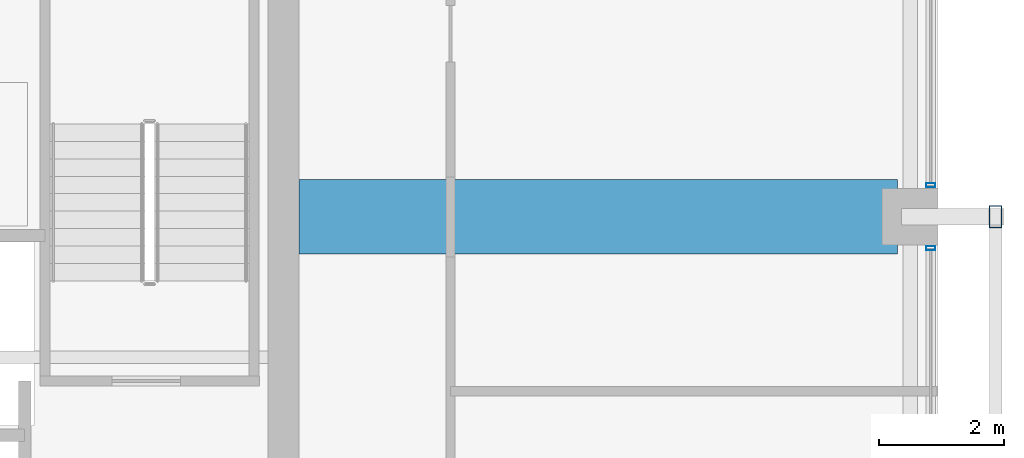
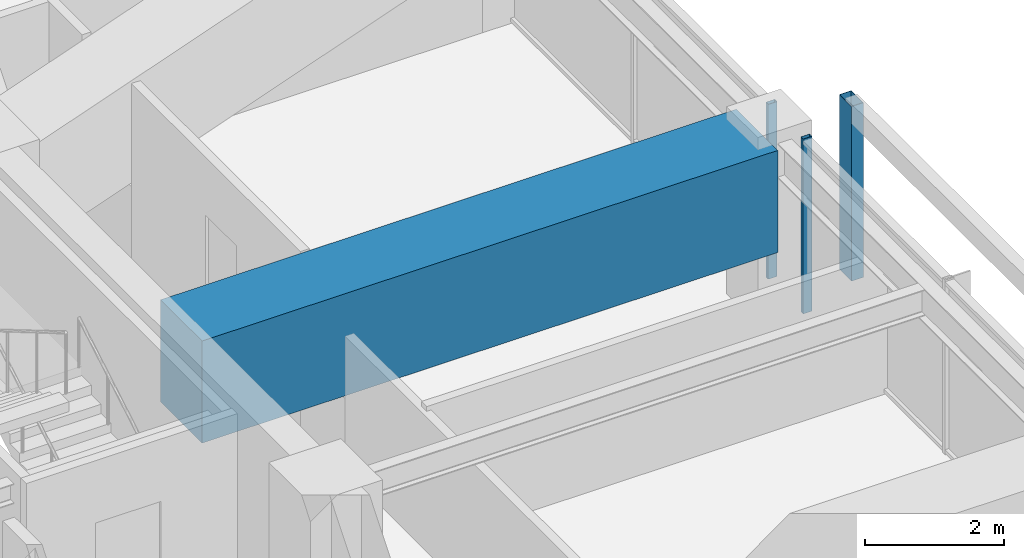
# One storey, part 15 of 37: 3 members, 1 beam, 2 elements without a shape of their own.
"""IFC4 building model written with IfcOpenShell, lengths in metres."""

from ifc_helpers import new_model, si_unit, direction, frame, origin, origin_2d, place, context, subcontext, project, spatial, rectangle, hollow_rectangle, extrude, material, material_profile, profile_set, type_object, element, aggregate, save


model = new_model("IFC4")

# Units and contexts
model_context = context("Model", 3, precision=1e-05, world=origin(), true_north=direction((0.0, 1.0)))
body_context = subcontext(model_context, "Body", "Model", "MODEL_VIEW")
ifc_project = project(units=[si_unit("LENGTHUNIT", "METRE"), si_unit("AREAUNIT", "SQUARE_METRE"), si_unit("VOLUMEUNIT", "CUBIC_METRE"), si_unit("PLANEANGLEUNIT", "RADIAN"), si_unit("MASSUNIT", "GRAM", prefix="KILO")], contexts=[model_context])

# Site, building, storey
site_placement = place(None, origin())
site = spatial("IfcSite", under=ifc_project, at=site_placement, CompositionType="ELEMENT")
building_placement = place(site_placement, origin())
building = spatial("IfcBuilding", under=site, at=building_placement, Name="Kolvaren Belvedere", CompositionType="ELEMENT")
storey_placement = place(building_placement, frame((0.0, 0.0, 186.60009765625)))
storey = spatial("IfcBuildingStorey", under=building, at=storey_placement, Name="L54", CompositionType="ELEMENT", Elevation=186.60009765625)

# Beam
ifc_material_1 = material(Name="Concrete C50/60", Category="concrete")
ifc_material_profile_1 = material_profile(ifc_material_1, rectangle(XDim=1.199951171875, YDim=1.800048828125, at=origin_2d()), Name="RC 1200X1800")
ifc_profile_set_1 = profile_set([ifc_material_profile_1], Name="Concrete C50/60")
beam_type = type_object("IfcBeamType", Name="BM-TG-1800", PredefinedType="BEAM", material=ifc_profile_set_1)
beam_placement = place(storey_placement, frame((10.14990234375, 4.60009765625, 2.179931640625), z_axis=(1.0, 0.0, 0.0), x_axis=(0.0, 1.0, 0.0)))
element("IfcBeam", 1, at=beam_placement, inside=storey, type_object=beam_type, Name="L54 East Radial Girder P", PredefinedType="BEAM", context=body_context, shape_type="SweptSolid", body=[
    extrude(rectangle(XDim=1.199951171875, YDim=1.800048828125, at=origin_2d()), origin(), (0.0, 0.0, 1.0), 9.59765625),
])

# Curtain wall, member
ifc_material_2 = material(Name="Anodised pale-metal aluminium AA 6063-T6", Category="aluminium")
curtain_wall_type = type_object("IfcCurtainWallType", Name="CW-Z5-HIGH", PredefinedType="NOTDEFINED", material=ifc_material_2)
curtain_wall_1_placement = place(storey_placement, origin())
curtain_wall_1 = element("IfcCurtainWall", 2, at=curtain_wall_1_placement, inside=storey, type_object=curtain_wall_type, Name="L54 Unitised Curtain Wall FCW-L54-E-B1", PredefinedType="NOTDEFINED")
ifc_material_3 = material(Name="Anodised pale-metal aluminium AA 6063-T6", Category="aluminium")
ifc_material_profile_2 = material_profile(ifc_material_3, hollow_rectangle(XDim=0.070068359375, YDim=0.14990234375, WallThickness=0.004150390625, at=origin_2d()), Name="ALU-MUL-150X70")
ifc_profile_set_2 = profile_set([ifc_material_profile_2], Name="Anodised pale-metal aluminium AA 6063-T6")
member_type_1 = type_object("IfcMemberType", Name="CW-MUL-150", PredefinedType="MULLION", material=ifc_profile_set_2)
member_1_placement = place(storey_placement, frame((20.280029296875, 5.10498046875, 0.0), z_axis=(0.0, 0.0, 1.0), x_axis=(0.0, 1.0, 0.0)))
member_1 = element("IfcMember", 3, at=member_1_placement, type_object=member_type_1, Name="FCW-L54-E-B1 Unitised Mullion 3", PredefinedType="MULLION", context=body_context, shape_type="SweptSolid", body=[
    extrude(hollow_rectangle(XDim=0.070068359375, YDim=0.14990234375, WallThickness=0.004150390625, at=origin_2d()), origin(), (0.0, 0.0, 1.0), 3.079833984375),
])
aggregate(curtain_wall_1, [member_1])

curtain_wall_2_placement = place(storey_placement, origin())
curtain_wall_2 = element("IfcCurtainWall", 4, at=curtain_wall_2_placement, inside=storey, type_object=curtain_wall_type, Name="L54 Unitised Curtain Wall FCW-L54-E-B2", PredefinedType="NOTDEFINED")
member_2_placement = place(storey_placement, frame((20.280029296875, 4.094970703125, 0.0), z_axis=(0.0, 0.0, 1.0), x_axis=(0.0, 1.0, 0.0)))
member_2 = element("IfcMember", 5, at=member_2_placement, type_object=member_type_1, Name="FCW-L54-E-B2 Unitised Mullion 1", PredefinedType="MULLION", context=body_context, shape_type="SweptSolid", body=[
    extrude(hollow_rectangle(XDim=0.070068359375, YDim=0.14990234375, WallThickness=0.004150390625, at=origin_2d()), origin(), (0.0, 0.0, 1.0), 3.079833984375),
])
aggregate(curtain_wall_2, [member_2])

# Member
ifc_material_4 = material(Name="Anodised pale-metal aluminium AA 6063-T6", Category="aluminium")
ifc_material_profile_3 = material_profile(ifc_material_4, hollow_rectangle(XDim=0.199951171875, YDim=0.35009765625, WallThickness=0.007568359375, at=origin_2d()), Name="ALU-PF-350X200")
ifc_profile_set_3 = profile_set([ifc_material_profile_3], Name="Anodised pale-metal aluminium AA 6063-T6")
member_type_2 = type_object("IfcMemberType", Name="PF-FRAME-350", PredefinedType="USERDEFINED", material=ifc_profile_set_3)
member_3_placement = place(storey_placement, frame((21.320068359375, 4.60009765625, 0.0), z_axis=(0.0, 0.0, 1.0), x_axis=(1.0, 0.0, 0.0)))
element("IfcMember", 6, at=member_3_placement, inside=storey, type_object=member_type_2, Name="L54 Outboard Picture-Frame Vertical E1", ObjectType="PICTURE FRAME FIN", PredefinedType="USERDEFINED", context=body_context, shape_type="SweptSolid", body=[
    extrude(hollow_rectangle(XDim=0.199951171875, YDim=0.35009765625, WallThickness=0.007568359375, at=origin_2d()), origin(), (0.0, 0.0, 1.0), 3.079833984375),
])

save(model, "model.ifc")
